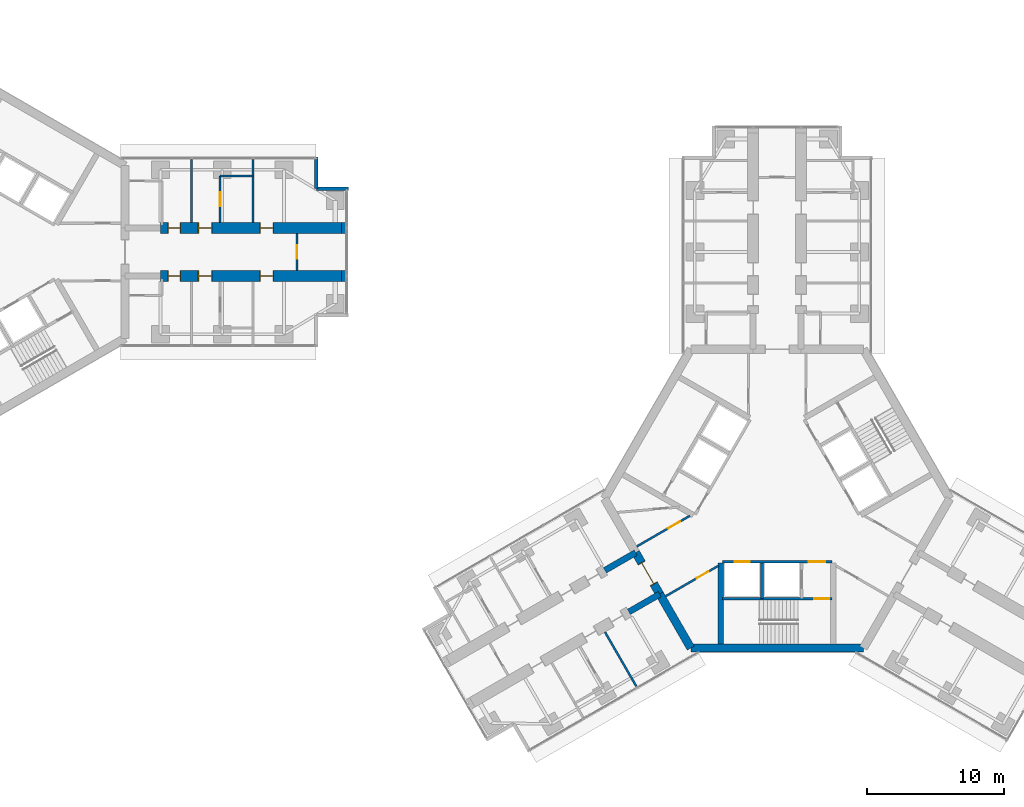
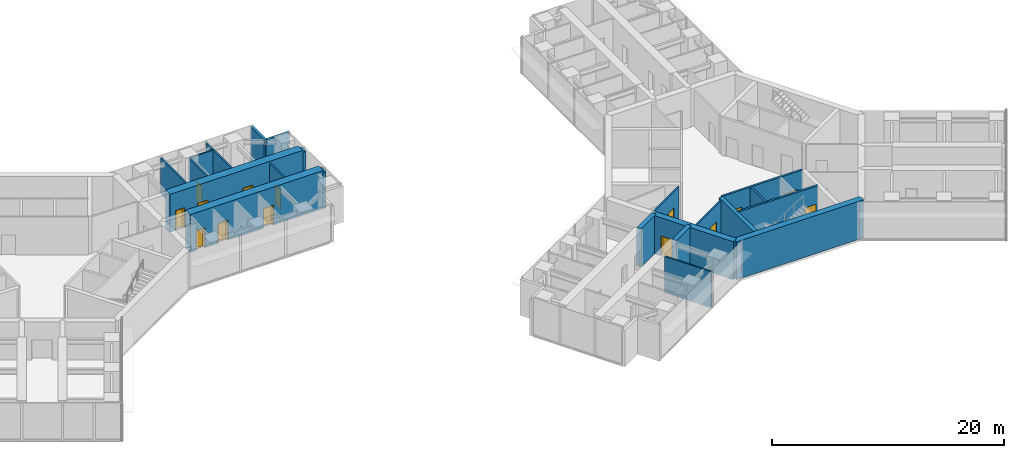
# One storey, part 18 of 22: 23 walls, 14 doors, 14 openings.
"""IFC4 building model written with IfcOpenShell, lengths in metres."""

from ifc_helpers import new_model, si_unit, direction, frame, frame_2d, origin, place, context, subcontext, project, spatial, rectangle, extrude, material, layer, layer_set, type_object, element, fill, save


model = new_model("IFC4")

# Units and contexts
model_context = context("Model", 3, precision=1e-05, world=origin(), true_north=direction((0.0, 1.0)))
body_context = subcontext(model_context, "Body", "Model", "MODEL_VIEW")
ifc_project = project(units=[si_unit("LENGTHUNIT", "METRE"), si_unit("AREAUNIT", "SQUARE_METRE"), si_unit("VOLUMEUNIT", "CUBIC_METRE"), si_unit("PLANEANGLEUNIT", "RADIAN"), si_unit("MASSUNIT", "GRAM", prefix="KILO")], contexts=[model_context])

# Site, building, storey
site_placement = place(None, origin())
site = spatial("IfcSite", under=ifc_project, at=site_placement, CompositionType="ELEMENT")
building_placement = place(site_placement, origin())
building = spatial("IfcBuilding", under=site, at=building_placement, Name="Upepo Twin Towers", CompositionType="ELEMENT")
storey_placement = place(building_placement, frame((0.0, 0.0, 141.5)))
storey = spatial("IfcBuildingStorey", under=building, at=storey_placement, Name="L34", CompositionType="ELEMENT", Elevation=141.5)

# Walls
ifc_material_1 = material(Name="Dense concrete blockwork", Category="masonry")
ifc_layer_1 = layer(ifc_material_1, 0.800048828125)
ifc_layer_set_1 = layer_set([ifc_layer_1], Name="Buttress closer 800, blockwork with fire-stopping to the curtain wall")
wall_type_1 = type_object("IfcWallType", Name="Buttress closer 800, blockwork with fire-stopping to the curtain wall", PredefinedType="PARTITIONING", material=ifc_layer_set_1)
for number, where, z_axis, x_axis, name in (
    (1, (26.699951171875, 1.75, 0.0), (0.0, 0.0, 1.0), (1.0, 0.0, 0.0), "T1 L34 wing A buttress closer L"),
    (2, (26.699951171875, -1.75, 0.0), (0.0, 0.0, 1.0), (1.0, 0.0, 0.0), "T1 L34 wing A buttress closer R"),
):
    element("IfcWall", number, at=place(storey_placement, frame(where, z_axis=z_axis, x_axis=x_axis)), inside=storey, type_object=wall_type_1, Name=name, PredefinedType="PARTITIONING", context=body_context, shape_type="SweptSolid", body=[
        extrude(rectangle(XDim=0.300048828125, YDim=0.800048828125, at=frame_2d((0.14990234375, 0.0))), origin(), (0.0, 0.0, 1.0), 3.800048828125),
    ])
ifc_material_2 = material(Name="Concrete C60/75", Category="concrete")
ifc_layer_2 = layer(ifc_material_2, 0.449951171875)
ifc_layer_set_2 = layer_set([ifc_layer_2], Name="Concrete C60/75")
wall_type_2 = type_object("IfcWallType", Name="Buttress wall 450 RC", PredefinedType="SHEAR", material=ifc_layer_set_2)
for number, where, z_axis, x_axis, name in (
    (3, (49.92822265625, -24.9697265625, 0.0), (0.0, 0.0, 1.0), (-0.866031863473, -0.499988811324, 0.0), "T2 wing B buttress wall L"),
    (4, (48.17822265625, -21.938720703125, 0.0), (0.0, 0.0, 1.0), (-0.866072649678, -0.499918158782, 0.0), "T2 wing B buttress wall R"),
):
    element("IfcWall", number, at=place(storey_placement, frame(where, z_axis=z_axis, x_axis=x_axis)), inside=storey, type_object=wall_type_2, Name=name, PredefinedType="SHEAR", context=body_context, shape_type="SweptSolid", body=[
        extrude(rectangle(XDim=2.591796875, YDim=0.449951171875, at=frame_2d((1.2958984375, 0.0))), origin(), (0.0, 0.0, 1.0), 4.0),
    ])

# Wall, openings, doors
ifc_material_3 = material(Name="Concrete C60/75", Category="concrete")
ifc_layer_3 = layer(ifc_material_3, 0.800048828125)
ifc_layer_set_3 = layer_set([ifc_layer_3], Name="Concrete C60/75")
wall_type_3 = type_object("IfcWallType", Name="Buttress wall 800 RC", PredefinedType="SHEAR", material=ifc_layer_set_3)
wall_1_placement = place(storey_placement, frame((13.5, 1.75, 0.0), z_axis=(0.0, 0.0, 1.0), x_axis=(1.0, 0.0, 0.0)))
wall_1 = element("IfcWall", 5, at=wall_1_placement, inside=storey, type_object=wall_type_3, Name="T1 wing A buttress wall L part 2", PredefinedType="SHEAR", context=body_context, shape_type="SweptSolid", body=[
    extrude(rectangle(XDim=13.199951171875, YDim=0.800048828125, at=frame_2d((6.60009765625, 0.0))), origin(), (0.0, 0.0, 1.0), 4.0),
])
opening_1_placement = place(wall_1_placement, frame((0.550048828125, 0.0, 0.0)))
opening_1 = element("IfcOpeningElement", 6, at=opening_1_placement, cuts=wall_1, Name="Opening D11", PredefinedType="OPENING", context=body_context, shape_type="SweptSolid", body=[
    extrude(rectangle(XDim=0.89990234375, YDim=2.10009765625, at=frame_2d((0.449951171875, 1.050048828125))), frame((0.0, 0.409912109375, 0.0), z_axis=(0.0, -1.0, 0.0), x_axis=(1.0, 0.0, 0.0)), (0.0, 0.0, 1.0), 0.820068359375),
])
opening_2_placement = place(wall_1_placement, frame((2.75, 0.0, 0.0)))
opening_2 = element("IfcOpeningElement", 7, at=opening_2_placement, cuts=wall_1, Name="Opening D1", PredefinedType="OPENING", context=body_context, shape_type="SweptSolid", body=[
    extrude(rectangle(XDim=1.0, YDim=2.10009765625, at=frame_2d((0.5, 1.050048828125))), frame((0.0, 0.409912109375, 0.0), z_axis=(0.0, -1.0, 0.0), x_axis=(1.0, 0.0, 0.0)), (0.0, 0.0, 1.0), 0.820068359375),
])
opening_3_placement = place(wall_1_placement, frame((7.25, 0.0, 0.0)))
opening_3 = element("IfcOpeningElement", 8, at=opening_3_placement, cuts=wall_1, Name="Opening D1", PredefinedType="OPENING", context=body_context, shape_type="SweptSolid", body=[
    extrude(rectangle(XDim=1.0, YDim=2.10009765625, at=frame_2d((0.5, 1.050048828125))), frame((0.0, 0.409912109375, 0.0), z_axis=(0.0, -1.0, 0.0), x_axis=(1.0, 0.0, 0.0)), (0.0, 0.0, 1.0), 0.820068359375),
])
ifc_material_4 = material(Name="Timber doorset", Category="wood")
door_type_1 = type_object("IfcDoorType", Name="Room door 1000 FD30", OperationType="SINGLE_SWING_LEFT", PredefinedType="DOOR", material=ifc_material_4)
door_1_placement = place(opening_2_placement, origin())
door_1 = element("IfcDoor", 9, at=door_1_placement, inside=storey, type_object=door_type_1, Name="T1 L34 seminar room door", OperationType="SINGLE_SWING_LEFT", OverallHeight=2.10009765625, OverallWidth=1.0, PredefinedType="DOOR", context=body_context, shape_type="SweptSolid", body=[
    extrude(rectangle(XDim=0.92, YDim=2.06009765625, at=frame_2d((0.5, 1.030029296875))), frame((0.0, 0.02490234375, 0.0), z_axis=(0.0, -1.0, 0.0), x_axis=(1.0, 0.0, 0.0)), (0.0, 0.0, 1.0), 0.050048828125),
    extrude(rectangle(XDim=0.04, YDim=2.10009765625, at=frame_2d((0.02001953125, 1.050048828125))), frame((0.0, 0.39990234375, 0.0), z_axis=(0.0, -1.0, 0.0), x_axis=(1.0, 0.0, 0.0)), (0.0, 0.0, 1.0), 0.799560546875),
    extrude(rectangle(XDim=0.04, YDim=2.10009765625, at=frame_2d((0.97998046875, 1.050048828125))), frame((0.0, 0.39990234375, 0.0), z_axis=(0.0, -1.0, 0.0), x_axis=(1.0, 0.0, 0.0)), (0.0, 0.0, 1.0), 0.799560546875),
    extrude(rectangle(XDim=0.92, YDim=0.04, at=frame_2d((0.5, 2.080078125))), frame((0.0, 0.39990234375, 0.0), z_axis=(0.0, -1.0, 0.0), x_axis=(1.0, 0.0, 0.0)), (0.0, 0.0, 1.0), 0.799560546875),
])
fill(opening_2, door_1)
door_2_placement = place(opening_3_placement, origin())
door_2 = element("IfcDoor", 10, at=door_2_placement, inside=storey, type_object=door_type_1, Name="T1 L34 staff office door", OperationType="SINGLE_SWING_RIGHT", OverallHeight=2.10009765625, OverallWidth=1.0, PredefinedType="DOOR", context=body_context, shape_type="SweptSolid", body=[
    extrude(rectangle(XDim=0.92, YDim=2.06009765625, at=frame_2d((0.5, 1.030029296875))), frame((0.0, 0.02490234375, 0.0), z_axis=(0.0, -1.0, 0.0), x_axis=(1.0, 0.0, 0.0)), (0.0, 0.0, 1.0), 0.050048828125),
    extrude(rectangle(XDim=0.04, YDim=2.10009765625, at=frame_2d((0.02001953125, 1.050048828125))), frame((0.0, 0.39990234375, 0.0), z_axis=(0.0, -1.0, 0.0), x_axis=(1.0, 0.0, 0.0)), (0.0, 0.0, 1.0), 0.799560546875),
    extrude(rectangle(XDim=0.04, YDim=2.10009765625, at=frame_2d((0.97998046875, 1.050048828125))), frame((0.0, 0.39990234375, 0.0), z_axis=(0.0, -1.0, 0.0), x_axis=(1.0, 0.0, 0.0)), (0.0, 0.0, 1.0), 0.799560546875),
    extrude(rectangle(XDim=0.92, YDim=0.04, at=frame_2d((0.5, 2.080078125))), frame((0.0, 0.39990234375, 0.0), z_axis=(0.0, -1.0, 0.0), x_axis=(1.0, 0.0, 0.0)), (0.0, 0.0, 1.0), 0.799560546875),
])
fill(opening_3, door_2)
ifc_material_5 = material(Name="Timber doorset", Category="wood")
door_type_2 = type_object("IfcDoorType", Name="Toilet door 900", OperationType="SINGLE_SWING_LEFT", PredefinedType="DOOR", material=ifc_material_5)
door_3_placement = place(opening_1_placement, origin())
door_3 = element("IfcDoor", 11, at=door_3_placement, inside=storey, type_object=door_type_2, Name="T1 L34 accessible wc door", OperationType="SINGLE_SWING_LEFT", OverallHeight=2.10009765625, OverallWidth=0.89990234375, PredefinedType="DOOR", context=body_context, shape_type="SweptSolid", body=[
    extrude(rectangle(XDim=0.81990234375, YDim=2.06009765625, at=frame_2d((0.449951171875, 1.030029296875))), frame((0.0, 0.02490234375, 0.0), z_axis=(0.0, -1.0, 0.0), x_axis=(1.0, 0.0, 0.0)), (0.0, 0.0, 1.0), 0.050048828125),
    extrude(rectangle(XDim=0.04, YDim=2.10009765625, at=frame_2d((0.02001953125, 1.050048828125))), frame((0.0, 0.39990234375, 0.0), z_axis=(0.0, -1.0, 0.0), x_axis=(1.0, 0.0, 0.0)), (0.0, 0.0, 1.0), 0.799560546875),
    extrude(rectangle(XDim=0.04, YDim=2.10009765625, at=frame_2d((0.8798828125, 1.050048828125))), frame((0.0, 0.39990234375, 0.0), z_axis=(0.0, -1.0, 0.0), x_axis=(1.0, 0.0, 0.0)), (0.0, 0.0, 1.0), 0.799560546875),
    extrude(rectangle(XDim=0.81990234375, YDim=0.04, at=frame_2d((0.449951171875, 2.080078125))), frame((0.0, 0.39990234375, 0.0), z_axis=(0.0, -1.0, 0.0), x_axis=(1.0, 0.0, 0.0)), (0.0, 0.0, 1.0), 0.799560546875),
])
fill(opening_1, door_3)

wall_2_placement = place(storey_placement, frame((13.5, -1.75, 0.0), z_axis=(0.0, 0.0, 1.0), x_axis=(1.0, 0.0, 0.0)))
wall_2 = element("IfcWall", 12, at=wall_2_placement, inside=storey, type_object=wall_type_3, Name="T1 wing A buttress wall R part 2", PredefinedType="SHEAR", context=body_context, shape_type="SweptSolid", body=[
    extrude(rectangle(XDim=13.199951171875, YDim=0.800048828125, at=frame_2d((6.60009765625, 0.0))), origin(), (0.0, 0.0, 1.0), 4.0),
])
opening_4_placement = place(wall_2_placement, frame((0.550048828125, 0.0, 0.0)))
opening_4 = element("IfcOpeningElement", 13, at=opening_4_placement, cuts=wall_2, Name="Opening D11", PredefinedType="OPENING", context=body_context, shape_type="SweptSolid", body=[
    extrude(rectangle(XDim=0.89990234375, YDim=2.10009765625, at=frame_2d((0.449951171875, 1.050048828125))), frame((0.0, 0.409912109375, 0.0), z_axis=(0.0, -1.0, 0.0), x_axis=(1.0, 0.0, 0.0)), (0.0, 0.0, 1.0), 0.820068359375),
])
opening_5_placement = place(wall_2_placement, frame((2.75, 0.0, 0.0)))
opening_5 = element("IfcOpeningElement", 14, at=opening_5_placement, cuts=wall_2, Name="Opening D1", PredefinedType="OPENING", context=body_context, shape_type="SweptSolid", body=[
    extrude(rectangle(XDim=1.0, YDim=2.10009765625, at=frame_2d((0.5, 1.050048828125))), frame((0.0, 0.409912109375, 0.0), z_axis=(0.0, -1.0, 0.0), x_axis=(1.0, 0.0, 0.0)), (0.0, 0.0, 1.0), 0.820068359375),
])
opening_6_placement = place(wall_2_placement, frame((7.25, 0.0, 0.0)))
opening_6 = element("IfcOpeningElement", 15, at=opening_6_placement, cuts=wall_2, Name="Opening D1", PredefinedType="OPENING", context=body_context, shape_type="SweptSolid", body=[
    extrude(rectangle(XDim=1.0, YDim=2.10009765625, at=frame_2d((0.5, 1.050048828125))), frame((0.0, 0.409912109375, 0.0), z_axis=(0.0, -1.0, 0.0), x_axis=(1.0, 0.0, 0.0)), (0.0, 0.0, 1.0), 0.820068359375),
])
door_4_placement = place(opening_5_placement, origin())
door_4 = element("IfcDoor", 16, at=door_4_placement, inside=storey, type_object=door_type_1, Name="T1 L34 tutorial room door", OperationType="SINGLE_SWING_LEFT", OverallHeight=2.10009765625, OverallWidth=1.0, PredefinedType="DOOR", context=body_context, shape_type="SweptSolid", body=[
    extrude(rectangle(XDim=0.92, YDim=2.06009765625, at=frame_2d((0.5, 1.030029296875))), frame((0.0, 0.02490234375, 0.0), z_axis=(0.0, -1.0, 0.0), x_axis=(1.0, 0.0, 0.0)), (0.0, 0.0, 1.0), 0.050048828125),
    extrude(rectangle(XDim=0.04, YDim=2.10009765625, at=frame_2d((0.02001953125, 1.050048828125))), frame((0.0, 0.39990234375, 0.0), z_axis=(0.0, -1.0, 0.0), x_axis=(1.0, 0.0, 0.0)), (0.0, 0.0, 1.0), 0.799560546875),
    extrude(rectangle(XDim=0.04, YDim=2.10009765625, at=frame_2d((0.97998046875, 1.050048828125))), frame((0.0, 0.39990234375, 0.0), z_axis=(0.0, -1.0, 0.0), x_axis=(1.0, 0.0, 0.0)), (0.0, 0.0, 1.0), 0.799560546875),
    extrude(rectangle(XDim=0.92, YDim=0.04, at=frame_2d((0.5, 2.080078125))), frame((0.0, 0.39990234375, 0.0), z_axis=(0.0, -1.0, 0.0), x_axis=(1.0, 0.0, 0.0)), (0.0, 0.0, 1.0), 0.799560546875),
])
fill(opening_5, door_4)
door_5_placement = place(opening_6_placement, origin())
door_5 = element("IfcDoor", 17, at=door_5_placement, inside=storey, type_object=door_type_1, Name="T1 L34 computing laboratory door", OperationType="SINGLE_SWING_RIGHT", OverallHeight=2.10009765625, OverallWidth=1.0, PredefinedType="DOOR", context=body_context, shape_type="SweptSolid", body=[
    extrude(rectangle(XDim=0.92, YDim=2.06009765625, at=frame_2d((0.5, 1.030029296875))), frame((0.0, 0.02490234375, 0.0), z_axis=(0.0, -1.0, 0.0), x_axis=(1.0, 0.0, 0.0)), (0.0, 0.0, 1.0), 0.050048828125),
    extrude(rectangle(XDim=0.04, YDim=2.10009765625, at=frame_2d((0.02001953125, 1.050048828125))), frame((0.0, 0.39990234375, 0.0), z_axis=(0.0, -1.0, 0.0), x_axis=(1.0, 0.0, 0.0)), (0.0, 0.0, 1.0), 0.799560546875),
    extrude(rectangle(XDim=0.04, YDim=2.10009765625, at=frame_2d((0.97998046875, 1.050048828125))), frame((0.0, 0.39990234375, 0.0), z_axis=(0.0, -1.0, 0.0), x_axis=(1.0, 0.0, 0.0)), (0.0, 0.0, 1.0), 0.799560546875),
    extrude(rectangle(XDim=0.92, YDim=0.04, at=frame_2d((0.5, 2.080078125))), frame((0.0, 0.39990234375, 0.0), z_axis=(0.0, -1.0, 0.0), x_axis=(1.0, 0.0, 0.0)), (0.0, 0.0, 1.0), 0.799560546875),
])
fill(opening_6, door_5)
door_6_placement = place(opening_4_placement, origin())
door_6 = element("IfcDoor", 18, at=door_6_placement, inside=storey, type_object=door_type_2, Name="T1 L34 toilets door", OperationType="SINGLE_SWING_LEFT", OverallHeight=2.10009765625, OverallWidth=0.89990234375, PredefinedType="DOOR", context=body_context, shape_type="SweptSolid", body=[
    extrude(rectangle(XDim=0.81990234375, YDim=2.06009765625, at=frame_2d((0.449951171875, 1.030029296875))), frame((0.0, 0.02490234375, 0.0), z_axis=(0.0, -1.0, 0.0), x_axis=(1.0, 0.0, 0.0)), (0.0, 0.0, 1.0), 0.050048828125),
    extrude(rectangle(XDim=0.04, YDim=2.10009765625, at=frame_2d((0.02001953125, 1.050048828125))), frame((0.0, 0.39990234375, 0.0), z_axis=(0.0, -1.0, 0.0), x_axis=(1.0, 0.0, 0.0)), (0.0, 0.0, 1.0), 0.799560546875),
    extrude(rectangle(XDim=0.04, YDim=2.10009765625, at=frame_2d((0.8798828125, 1.050048828125))), frame((0.0, 0.39990234375, 0.0), z_axis=(0.0, -1.0, 0.0), x_axis=(1.0, 0.0, 0.0)), (0.0, 0.0, 1.0), 0.799560546875),
    extrude(rectangle(XDim=0.81990234375, YDim=0.04, at=frame_2d((0.449951171875, 2.080078125))), frame((0.0, 0.39990234375, 0.0), z_axis=(0.0, -1.0, 0.0), x_axis=(1.0, 0.0, 0.0)), (0.0, 0.0, 1.0), 0.799560546875),
])
fill(opening_4, door_6)

# Wall, opening, door
ifc_material_6 = material(Name="Concrete C60/75", Category="concrete")
ifc_layer_4 = layer(ifc_material_6, 0.60009765625)
ifc_layer_set_4 = layer_set([ifc_layer_4], Name="Concrete C60/75")
wall_type_4 = type_object("IfcWallType", Name="Core wall 600 RC", PredefinedType="SHEAR", material=ifc_layer_set_4)
wall_3_placement = place(storey_placement, frame((48.17822265625, -21.938720703125, 0.0), z_axis=(0.0, 0.0, 1.0), x_axis=(0.500010275428, -0.866019471182, 0.0)))
wall_3 = element("IfcWall", 19, at=wall_3_placement, inside=storey, type_object=wall_type_4, Name="T2 core wall 120", PredefinedType="SHEAR", context=body_context, shape_type="SweptSolid", body=[
    extrude(rectangle(XDim=3.5, YDim=0.60009765625, at=frame_2d((1.75, 0.0))), origin(), (0.0, 0.0, 1.0), 4.0),
])
opening_7_placement = place(wall_3_placement, frame((0.85009765625, 0.0, 0.0)))
opening_7 = element("IfcOpeningElement", 20, at=opening_7_placement, cuts=wall_3, Name="Opening D2", PredefinedType="OPENING", context=body_context, shape_type="SweptSolid", body=[
    extrude(rectangle(XDim=1.800048828125, YDim=2.10009765625, at=frame_2d((0.89990234375, 1.050048828125))), frame((0.0, 0.31005859375, 0.0), z_axis=(0.0, -1.0, 0.0), x_axis=(1.0, 0.0, 0.0)), (0.0, 0.0, 1.0), 0.6201171875),
])
ifc_material_7 = material(Name="Timber doorset", Category="wood")
door_type_3 = type_object("IfcDoorType", Name="Corridor double door 1800 FD60", OperationType="DOUBLE_DOOR_DOUBLE_SWING", PredefinedType="DOOR", material=ifc_material_7)
door_7_placement = place(opening_7_placement, origin())
door_7 = element("IfcDoor", 21, at=door_7_placement, inside=storey, type_object=door_type_3, Name="T2 L34 wing B corridor door", OperationType="DOUBLE_DOOR_DOUBLE_SWING", OverallHeight=2.10009765625, OverallWidth=1.800048828125, PredefinedType="DOOR", context=body_context, shape_type="SweptSolid", body=[
    extrude(rectangle(XDim=1.720048828125, YDim=2.06009765625, at=frame_2d((0.89990234375, 1.030029296875))), frame((0.0, 0.02490234375, 0.0), z_axis=(0.0, -1.0, 0.0), x_axis=(1.0, 0.0, 0.0)), (0.0, 0.0, 1.0), 0.050048828125),
    extrude(rectangle(XDim=0.04, YDim=2.10009765625, at=frame_2d((0.02001953125, 1.050048828125))), frame((0.0, 0.2998046875, 0.0), z_axis=(0.0, -1.0, 0.0), x_axis=(1.0, 0.0, 0.0)), (0.0, 0.0, 1.0), 0.599609375),
    extrude(rectangle(XDim=0.04, YDim=2.10009765625, at=frame_2d((1.780029296875, 1.050048828125))), frame((0.0, 0.2998046875, 0.0), z_axis=(0.0, -1.0, 0.0), x_axis=(1.0, 0.0, 0.0)), (0.0, 0.0, 1.0), 0.599609375),
    extrude(rectangle(XDim=1.720048828125, YDim=0.04, at=frame_2d((0.89990234375, 2.080078125))), frame((0.0, 0.2998046875, 0.0), z_axis=(0.0, -1.0, 0.0), x_axis=(1.0, 0.0, 0.0)), (0.0, 0.0, 1.0), 0.599609375),
])
fill(opening_7, door_7)

# Walls
wall_4_placement = place(storey_placement, frame((49.92822265625, -24.9697265625, 0.0), z_axis=(0.0, 0.0, 1.0), x_axis=(0.499984222037, -0.866034513004, 0.0)))
element("IfcWall", 22, at=wall_4_placement, inside=storey, type_object=wall_type_4, Name="T2 core wall 120 L", PredefinedType="SHEAR", context=body_context, shape_type="SweptSolid", body=[
    extrude(rectangle(XDim=4.548095703125, YDim=0.60009765625, at=frame_2d((2.27392578125, 0.0))), origin(), (0.0, 0.0, 1.0), 4.0),
])
wall_5_placement = place(storey_placement, frame((52.2021484375, -28.908447265625, 0.0), z_axis=(0.0, 0.0, 1.0), x_axis=(1.0, 0.0, 0.0)))
element("IfcWall", 23, at=wall_5_placement, inside=storey, type_object=wall_type_4, Name="T2 core wall 180", PredefinedType="SHEAR", context=body_context, shape_type="SweptSolid", body=[
    extrude(rectangle(XDim=12.595703125, YDim=0.60009765625, at=frame_2d((6.2978515625, 0.0))), origin(), (0.0, 0.0, 1.0), 4.0),
])
ifc_material_8 = material(Name="Blockwork with anodised aluminium cladding", Category="masonry")
ifc_layer_5 = layer(ifc_material_8, 0.25)
ifc_layer_set_5 = layer_set([ifc_layer_5], Name="Notch cladding wall 250, pale metal")
wall_type_5 = type_object("IfcWallType", Name="Notch cladding wall 250, pale metal", PredefinedType="STANDARD", material=ifc_layer_set_5)
for number, where, z_axis, x_axis, name in (
    (24, (24.875, 6.949951171875, 0.0), (0.0, 0.0, 1.0), (0.0, -1.0, 0.0), "T1 L34 wing A notch wall L1"),
    (25, (24.875, 4.625, 0.0), (0.0, 0.0, 1.0), (1.0, 0.0, 0.0), "T1 L34 wing A notch wall L2"),
):
    element("IfcWall", number, at=place(storey_placement, frame(where, z_axis=z_axis, x_axis=x_axis)), inside=storey, type_object=wall_type_5, Name=name, PredefinedType="STANDARD", context=body_context, shape_type="SweptSolid", body=[
        extrude(rectangle(XDim=2.324951171875, YDim=0.25, at=frame_2d((1.16259765625, 0.0))), origin(), (0.0, 0.0, 1.0), 3.800048828125),
    ])

# Wall, openings, doors
ifc_material_9 = material(Name="Concrete C40/50", Category="concrete")
ifc_layer_6 = layer(ifc_material_9, 0.199951171875)
ifc_layer_set_6 = layer_set([ifc_layer_6], Name="Concrete C40/50")
wall_type_6 = type_object("IfcWallType", Name="Shaft wall 200 RC", PredefinedType="SHEAR", material=ifc_layer_set_6)
wall_6_placement = place(storey_placement, frame((54.5, -22.60009765625, 0.0), z_axis=(0.0, 0.0, 1.0), x_axis=(1.0, 0.0, 0.0)))
wall_6 = element("IfcWall", 26, at=wall_6_placement, inside=storey, type_object=wall_type_6, Name="T2 core W180 front wall", PredefinedType="SHEAR", context=body_context, shape_type="SweptSolid", body=[
    extrude(rectangle(XDim=8.0, YDim=0.199951171875, at=frame_2d((4.0, 0.0))), origin(), (0.0, 0.0, 1.0), 4.0),
])
opening_8_placement = place(wall_6_placement, frame((6.300048828125, 0.0, 0.0)))
opening_8 = element("IfcOpeningElement", 27, at=opening_8_placement, cuts=wall_6, Name="Opening D4", PredefinedType="OPENING", context=body_context, shape_type="SweptSolid", body=[
    extrude(rectangle(XDim=1.199951171875, YDim=2.10009765625, at=frame_2d((0.60009765625, 1.050048828125))), frame((0.0, 0.10986328125, 0.0), z_axis=(0.0, -1.0, 0.0), x_axis=(1.0, 0.0, 0.0)), (0.0, 0.0, 1.0), 0.219970703125),
])
opening_9_placement = place(wall_6_placement, frame((0.89990234375, 0.0, 0.0)))
opening_9 = element("IfcOpeningElement", 28, at=opening_9_placement, cuts=wall_6, Name="Opening LD1", PredefinedType="OPENING", context=body_context, shape_type="SweptSolid", body=[
    extrude(rectangle(XDim=1.10009765625, YDim=2.199951171875, at=frame_2d((0.550048828125, 1.10009765625))), frame((0.0, 0.10986328125, 0.0), z_axis=(0.0, -1.0, 0.0), x_axis=(1.0, 0.0, 0.0)), (0.0, 0.0, 1.0), 0.219970703125),
])
ifc_material_10 = material(Name="Steel doorset", Category="steel")
door_type_4 = type_object("IfcDoorType", Name="Lift landing door 1100", OperationType="DOUBLE_DOOR_SLIDING", PredefinedType="DOOR", material=ifc_material_10)
door_8_placement = place(opening_9_placement, origin())
door_8 = element("IfcDoor", 29, at=door_8_placement, inside=storey, type_object=door_type_4, Name="T2 L34 lift SV1 landing door", OperationType="DOUBLE_DOOR_SLIDING", OverallHeight=2.199951171875, OverallWidth=1.10009765625, PredefinedType="DOOR", context=body_context, shape_type="SweptSolid", body=[
    extrude(rectangle(XDim=1.10009765625, YDim=2.199951171875, at=frame_2d((0.550048828125, 1.10009765625))), frame((0.0, 0.02490234375, 0.0), z_axis=(0.0, -1.0, 0.0), x_axis=(1.0, 0.0, 0.0)), (0.0, 0.0, 1.0), 0.050048828125),
])
fill(opening_9, door_8)
ifc_material_11 = material(Name="Timber doorset", Category="wood")
door_type_5 = type_object("IfcDoorType", Name="Lobby door 1200 FD60", OperationType="SINGLE_SWING_LEFT", PredefinedType="DOOR", material=ifc_material_11)
door_9_placement = place(opening_8_placement, origin())
door_9 = element("IfcDoor", 30, at=door_9_placement, inside=storey, type_object=door_type_5, Name="T2 L34 W180 lobby door", OperationType="SINGLE_SWING_RIGHT", OverallHeight=2.10009765625, OverallWidth=1.199951171875, PredefinedType="DOOR", context=body_context, shape_type="SweptSolid", body=[
    extrude(rectangle(XDim=1.199951171875, YDim=2.10009765625, at=frame_2d((0.60009765625, 1.050048828125))), frame((0.0, 0.02490234375, 0.0), z_axis=(0.0, -1.0, 0.0), x_axis=(1.0, 0.0, 0.0)), (0.0, 0.0, 1.0), 0.050048828125),
])
fill(opening_8, door_9)

# Wall
wall_7_placement = place(storey_placement, frame((57.39990234375, -22.699951171875, 0.0), z_axis=(0.0, 0.0, 1.0), x_axis=(0.0, -1.0, 0.0)))
element("IfcWall", 31, at=wall_7_placement, inside=storey, type_object=wall_type_6, Name="T2 core W180 shaft divider", PredefinedType="SHEAR", context=body_context, shape_type="SweptSolid", body=[
    extrude(rectangle(XDim=2.60009765625, YDim=0.199951171875, at=frame_2d((1.300048828125, 0.0))), origin(), (0.0, 0.0, 1.0), 4.0),
])

# Wall, opening, door
wall_8_placement = place(storey_placement, frame((54.5, -25.300048828125, 0.0), z_axis=(0.0, 0.0, 1.0), x_axis=(1.0, 0.0, 0.0)))
wall_8 = element("IfcWall", 32, at=wall_8_placement, inside=storey, type_object=wall_type_6, Name="T2 core W180 stair wall", PredefinedType="SHEAR", context=body_context, shape_type="SweptSolid", body=[
    extrude(rectangle(XDim=8.0, YDim=0.199951171875, at=frame_2d((4.0, 0.0))), origin(), (0.0, 0.0, 1.0), 4.0),
])
opening_10_placement = place(wall_8_placement, frame((6.699951171875, 0.0, 0.0)))
opening_10 = element("IfcOpeningElement", 33, at=opening_10_placement, cuts=wall_8, Name="Opening D3", PredefinedType="OPENING", context=body_context, shape_type="SweptSolid", body=[
    extrude(rectangle(XDim=1.10009765625, YDim=2.10009765625, at=frame_2d((0.550048828125, 1.050048828125))), frame((0.0, 0.10986328125, 0.0), z_axis=(0.0, -1.0, 0.0), x_axis=(1.0, 0.0, 0.0)), (0.0, 0.0, 1.0), 0.219970703125),
])
ifc_material_12 = material(Name="Timber doorset", Category="wood")
door_type_6 = type_object("IfcDoorType", Name="Stair door 1100 FD60", OperationType="SINGLE_SWING_LEFT", PredefinedType="DOOR", material=ifc_material_12)
door_10_placement = place(opening_10_placement, origin())
door_10 = element("IfcDoor", 34, at=door_10_placement, inside=storey, type_object=door_type_6, Name="T2 L34 stair door", OperationType="SINGLE_SWING_RIGHT", OverallHeight=2.10009765625, OverallWidth=1.10009765625, PredefinedType="DOOR", context=body_context, shape_type="SweptSolid", body=[
    extrude(rectangle(XDim=1.10009765625, YDim=2.10009765625, at=frame_2d((0.550048828125, 1.050048828125))), frame((0.0, 0.02490234375, 0.0), z_axis=(0.0, -1.0, 0.0), x_axis=(1.0, 0.0, 0.0)), (0.0, 0.0, 1.0), 0.050048828125),
])
fill(opening_10, door_10)

# Walls
ifc_material_13 = material(Name="Concrete C40/50", Category="concrete")
ifc_layer_7 = layer(ifc_material_13, 0.39990234375)
ifc_layer_set_7 = layer_set([ifc_layer_7], Name="Concrete C40/50")
wall_type_7 = type_object("IfcWallType", Name="Shaft wall 400 RC", PredefinedType="SHEAR", material=ifc_layer_set_7)
wall_9_placement = place(storey_placement, frame((54.39990234375, -22.699951171875, 0.0), z_axis=(0.0, 0.0, 1.0), x_axis=(0.0, -1.0, 0.0)))
element("IfcWall", 35, at=wall_9_placement, inside=storey, type_object=wall_type_7, Name="T2 core W180 side wall S", PredefinedType="SHEAR", context=body_context, shape_type="SweptSolid", body=[
    extrude(rectangle(XDim=5.908447265625, YDim=0.39990234375, at=frame_2d((2.9541015625, 0.0))), origin(), (0.0, 0.0, 1.0), 4.0),
])
ifc_material_14 = material(Name="Gypsum board on steel studs", Category="steel")
ifc_layer_8 = layer(ifc_material_14, 0.14990234375)
ifc_layer_set_8 = layer_set([ifc_layer_8], Name="Teaching partition 150 acoustic")
wall_type_8 = type_object("IfcWallType", Name="Teaching partition 150 acoustic", PredefinedType="PARTITIONING", material=ifc_layer_set_8)
for number, where, z_axis, x_axis, name in (
    (36, (15.75, 2.14990234375, 0.0), (0.0, 0.0, 1.0), (0.0, 1.0, 0.0), "T1 partition AL at 15.75"),
    (37, (20.25, 2.14990234375, 0.0), (0.0, 0.0, 1.0), (0.0, 1.0, 0.0), "T1 partition AL at 20.25"),
):
    element("IfcWall", number, at=place(storey_placement, frame(where, z_axis=z_axis, x_axis=x_axis)), inside=storey, type_object=wall_type_8, Name=name, PredefinedType="PARTITIONING", context=body_context, shape_type="SweptSolid", body=[
        extrude(rectangle(XDim=4.60009765625, YDim=0.14990234375, at=frame_2d((2.300048828125, 0.0))), origin(), (0.0, 0.0, 1.0), 3.800048828125),
    ])
wall_10_placement = place(storey_placement, frame((17.85009765625, 5.550048828125, 0.0), z_axis=(0.0, 0.0, 1.0), x_axis=(1.0, 0.0, 0.0)))
element("IfcWall", 38, at=wall_10_placement, inside=storey, type_object=wall_type_8, Name="T1 inner room partition AL at 17.85", PredefinedType="PARTITIONING", context=body_context, shape_type="SweptSolid", body=[
    extrude(rectangle(XDim=2.39990234375, YDim=0.14990234375, at=frame_2d((1.199951171875, 0.0))), origin(), (0.0, 0.0, 1.0), 3.800048828125),
])

# Wall, opening, door
wall_11_placement = place(storey_placement, frame((17.85009765625, 2.14990234375, 0.0), z_axis=(0.0, 0.0, 1.0), x_axis=(0.0, 1.0, 0.0)))
wall_11 = element("IfcWall", 39, at=wall_11_placement, inside=storey, type_object=wall_type_8, Name="T1 inner room partition AL end at 17.85", PredefinedType="PARTITIONING", context=body_context, shape_type="SweptSolid", body=[
    extrude(rectangle(XDim=3.400146484375, YDim=0.14990234375, at=frame_2d((1.7001953125, 0.0))), origin(), (0.0, 0.0, 1.0), 3.800048828125),
])
opening_11_placement = place(wall_11_placement, frame((1.199951171875, 0.0, 0.0)))
opening_11 = element("IfcOpeningElement", 40, at=opening_11_placement, cuts=wall_11, Name="Opening D1", PredefinedType="OPENING", context=body_context, shape_type="SweptSolid", body=[
    extrude(rectangle(XDim=1.0, YDim=2.10009765625, at=frame_2d((0.5, 1.050048828125))), frame((0.0, 0.0849609375, 0.0), z_axis=(0.0, -1.0, 0.0), x_axis=(1.0, 0.0, 0.0)), (0.0, 0.0, 1.0), 0.169921875),
])
door_11_placement = place(opening_11_placement, origin())
door_11 = element("IfcDoor", 41, at=door_11_placement, inside=storey, type_object=door_type_1, Name="T1 L34 inner room door", OperationType="SINGLE_SWING_LEFT", OverallHeight=2.10009765625, OverallWidth=1.0, PredefinedType="DOOR", context=body_context, shape_type="SweptSolid", body=[
    extrude(rectangle(XDim=1.0, YDim=2.10009765625, at=frame_2d((0.5, 1.050048828125))), frame((0.0, 0.02490234375, 0.0), z_axis=(0.0, -1.0, 0.0), x_axis=(1.0, 0.0, 0.0)), (0.0, 0.0, 1.0), 0.050048828125),
])
fill(opening_11, door_11)

wall_12_placement = place(storey_placement, frame((23.449951171875, -1.35009765625, 0.0), z_axis=(0.0, 0.0, 1.0), x_axis=(0.0, 1.0, 0.0)))
wall_12 = element("IfcWall", 42, at=wall_12_placement, inside=storey, type_object=wall_type_8, Name="T1 corridor end partition A at 23.45", PredefinedType="PARTITIONING", context=body_context, shape_type="SweptSolid", body=[
    extrude(rectangle(XDim=2.7001953125, YDim=0.14990234375, at=frame_2d((1.35009765625, 0.0))), origin(), (0.0, 0.0, 1.0), 3.800048828125),
])
opening_12_placement = place(wall_12_placement, frame((0.85009765625, 0.0, 0.0)))
opening_12 = element("IfcOpeningElement", 43, at=opening_12_placement, cuts=wall_12, Name="Opening D1", PredefinedType="OPENING", context=body_context, shape_type="SweptSolid", body=[
    extrude(rectangle(XDim=1.0, YDim=2.10009765625, at=frame_2d((0.5, 1.050048828125))), frame((0.0, 0.0849609375, 0.0), z_axis=(0.0, -1.0, 0.0), x_axis=(1.0, 0.0, 0.0)), (0.0, 0.0, 1.0), 0.169921875),
])
door_12_placement = place(opening_12_placement, origin())
door_12 = element("IfcDoor", 44, at=door_12_placement, inside=storey, type_object=door_type_1, Name="T1 L34 breakout study room door", OperationType="SINGLE_SWING_LEFT", OverallHeight=2.10009765625, OverallWidth=1.0, PredefinedType="DOOR", context=body_context, shape_type="SweptSolid", body=[
    extrude(rectangle(XDim=1.0, YDim=2.10009765625, at=frame_2d((0.5, 1.050048828125))), frame((0.0, 0.02490234375, 0.0), z_axis=(0.0, -1.0, 0.0), x_axis=(1.0, 0.0, 0.0)), (0.0, 0.0, 1.0), 0.050048828125),
])
fill(opening_12, door_12)

# Wall
wall_13_placement = place(storey_placement, frame((45.93505859375, -27.737060546875, 0.0), z_axis=(0.0, 0.0, 1.0), x_axis=(0.500014953309, -0.866016770315, 0.0)))
element("IfcWall", 45, at=wall_13_placement, inside=storey, type_object=wall_type_8, Name="T2 partition BL at 15.75", PredefinedType="PARTITIONING", context=body_context, shape_type="SweptSolid", body=[
    extrude(rectangle(XDim=4.599853515625, YDim=0.14990234375, at=frame_2d((2.2998046875, 0.0))), origin(), (0.0, 0.0, 1.0), 3.800048828125),
])

# Wall, opening, door
wall_14_placement = place(storey_placement, frame((48.25439453125, -21.490478515625, 0.0), z_axis=(0.0, 0.0, 1.0), x_axis=(0.866025707867, 0.499999473313, 0.0)))
wall_14 = element("IfcWall", 46, at=wall_14_placement, inside=storey, type_object=wall_type_8, Name="T2 core room partition 1", PredefinedType="PARTITIONING", context=body_context, shape_type="SweptSolid", body=[
    extrude(rectangle(XDim=4.4755859375, YDim=0.14990234375, at=frame_2d((2.23779296875, 0.0))), origin(), (0.0, 0.0, 1.0), 3.800048828125),
])
opening_13_placement = place(wall_14_placement, frame((2.633056640625, 0.0, 0.0)))
opening_13 = element("IfcOpeningElement", 47, at=opening_13_placement, cuts=wall_14, Name="Opening D1", PredefinedType="OPENING", context=body_context, shape_type="SweptSolid", body=[
    extrude(rectangle(XDim=1.0, YDim=2.10009765625, at=frame_2d((0.5, 1.050048828125))), frame((0.0, 0.0849609375, 0.0), z_axis=(0.0, -1.0, 0.0), x_axis=(1.0, 0.0, 0.0)), (0.0, 0.0, 1.0), 0.169921875),
])
door_13_placement = place(opening_13_placement, origin())
door_13 = element("IfcDoor", 48, at=door_13_placement, inside=storey, type_object=door_type_1, Name="T2 L34 core room door K2", OperationType="SINGLE_SWING_RIGHT", OverallHeight=2.10009765625, OverallWidth=1.0, PredefinedType="DOOR", context=body_context, shape_type="SweptSolid", body=[
    extrude(rectangle(XDim=1.0, YDim=2.10009765625, at=frame_2d((0.5, 1.050048828125))), frame((0.0, 0.02490234375, 0.0), z_axis=(0.0, -1.0, 0.0), x_axis=(1.0, 0.0, 0.0)), (0.0, 0.0, 1.0), 0.050048828125),
])
fill(opening_13, door_13)

wall_15_placement = place(storey_placement, frame((54.230224609375, -22.889892578125, 0.0), z_axis=(0.0, 0.0, 1.0), x_axis=(-0.866025707867, -0.499999473313, 0.0)))
wall_15 = element("IfcWall", 49, at=wall_15_placement, inside=storey, type_object=wall_type_8, Name="T2 core room partition 6", PredefinedType="PARTITIONING", context=body_context, shape_type="SweptSolid", body=[
    extrude(rectangle(XDim=4.4755859375, YDim=0.14990234375, at=frame_2d((2.23779296875, 0.0))), origin(), (0.0, 0.0, 1.0), 3.800048828125),
])
opening_14_placement = place(wall_15_placement, frame((0.8427734375, 0.0, 0.0)))
opening_14 = element("IfcOpeningElement", 50, at=opening_14_placement, cuts=wall_15, Name="Opening D1", PredefinedType="OPENING", context=body_context, shape_type="SweptSolid", body=[
    extrude(rectangle(XDim=1.0, YDim=2.10009765625, at=frame_2d((0.5, 1.050048828125))), frame((0.0, 0.0849609375, 0.0), z_axis=(0.0, -1.0, 0.0), x_axis=(1.0, 0.0, 0.0)), (0.0, 0.0, 1.0), 0.169921875),
])
door_14_placement = place(opening_14_placement, origin())
door_14 = element("IfcDoor", 51, at=door_14_placement, inside=storey, type_object=door_type_1, Name="T2 L34 core room door K3", OperationType="SINGLE_SWING_LEFT", OverallHeight=2.10009765625, OverallWidth=1.0, PredefinedType="DOOR", context=body_context, shape_type="SweptSolid", body=[
    extrude(rectangle(XDim=1.0, YDim=2.10009765625, at=frame_2d((0.5, 1.050048828125))), frame((0.0, 0.02490234375, 0.0), z_axis=(0.0, -1.0, 0.0), x_axis=(1.0, 0.0, 0.0)), (0.0, 0.0, 1.0), 0.050048828125),
])
fill(opening_14, door_14)

save(model, "model.ifc")
